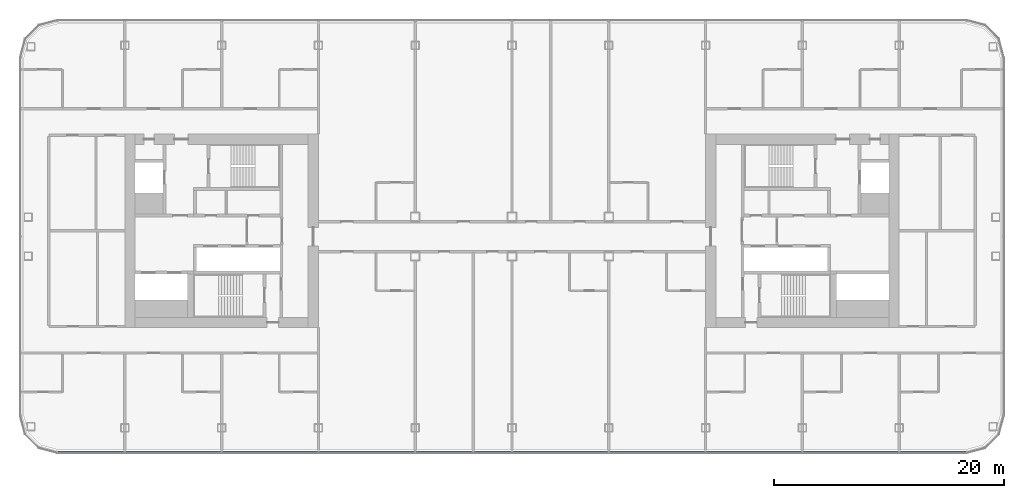
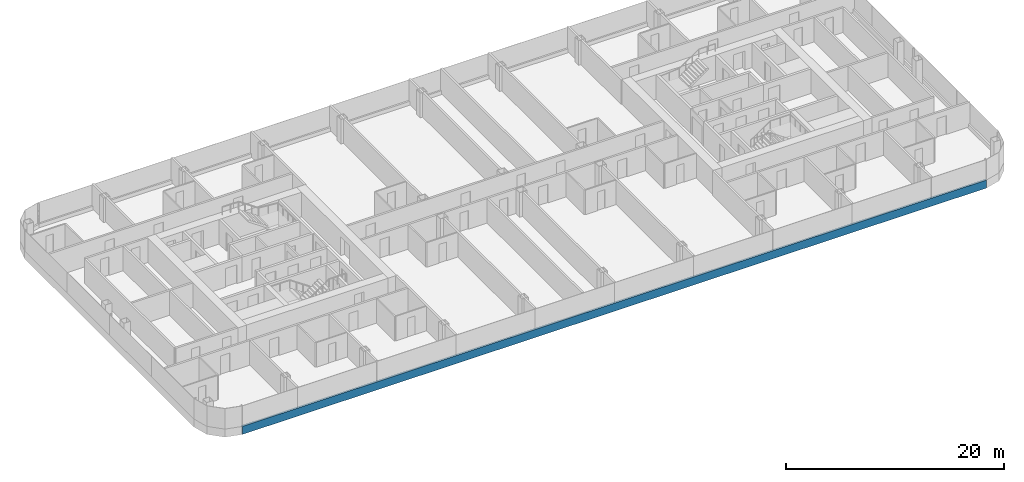
# One storey, part 4 of 26: 1 member, 1 element without a shape of its own.
"""IFC4 building model written with IfcOpenShell, lengths in metres."""

from ifc_helpers import new_model, si_unit, direction, frame, origin, origin_2d, place, context, subcontext, project, spatial, rectangle, extrude, material, layer, layer_set, material_profile, profile_set, type_object, element, aggregate, save


model = new_model("IFC4")

# Units and contexts
model_context = context("Model", 3, precision=1e-05, world=origin(), true_north=direction((0.0, 1.0)))
body_context = subcontext(model_context, "Body", "Model", "MODEL_VIEW")
ifc_project = project(units=[si_unit("LENGTHUNIT", "METRE"), si_unit("AREAUNIT", "SQUARE_METRE"), si_unit("VOLUMEUNIT", "CUBIC_METRE"), si_unit("PLANEANGLEUNIT", "RADIAN"), si_unit("MASSUNIT", "GRAM", prefix="KILO")], contexts=[model_context])

# Site, building, storey
site_placement = place(None, origin())
site = spatial("IfcSite", under=ifc_project, at=site_placement, CompositionType="ELEMENT")
building_placement = place(site_placement, origin())
building = spatial("IfcBuilding", under=site, at=building_placement, Name="Hakoniwa Tower and Hamabe Station Hall", CompositionType="ELEMENT")
storey_placement = place(building_placement, frame((0.0, 0.0, 131.0)))
storey = spatial("IfcBuildingStorey", under=building, at=storey_placement, Name="L36", CompositionType="ELEMENT", Elevation=131.0)

# Curtain wall, member
ifc_material_1 = material(Name="Dark low-e laminated glass", Category="glass")
ifc_layer = layer(ifc_material_1, 0.199951171875)
ifc_layer_set = layer_set([ifc_layer], Name="CW-1 UNITISED GUEST")
curtain_wall_type = type_object("IfcCurtainWallType", Name="CW-1 UNITISED GUEST", PredefinedType="NOTDEFINED", material=ifc_layer_set)
curtain_wall_placement = place(storey_placement, origin())
curtain_wall = element("IfcCurtainWall", 1, at=curtain_wall_placement, inside=storey, type_object=curtain_wall_type, Name="CW-1 curtain wall", PredefinedType="NOTDEFINED")
ifc_material_2 = material(Name="Aluminium 6063-T5 black anodised", Category="aluminium")
ifc_material_profile = material_profile(ifc_material_2, rectangle(XDim=0.199951171875, YDim=0.89990234375, at=origin_2d()), Name="CW SLAB-EDGE BAND 900X200")
ifc_profile_set = profile_set([ifc_material_profile], Name="Aluminium 6063-T5 black anodised")
member_type = type_object("IfcMemberType", Name="CW SLAB-EDGE BAND 900X200", PredefinedType="USERDEFINED", material=ifc_profile_set)
member_placement = place(storey_placement, frame((-39.439453125, -19.199951171875, -0.10009765625), z_axis=(1.0, 0.0, 0.0), x_axis=(0.0, 1.0, 0.0)))
member = element("IfcMember", 2, at=member_placement, type_object=member_type, Name="CW-1 transom", ObjectType="TRANSOM", PredefinedType="USERDEFINED", context=body_context, shape_type="SweptSolid", body=[
    extrude(rectangle(XDim=0.199951171875, YDim=0.89990234375, at=origin_2d()), origin(), (0.0, 0.0, 1.0), 78.87890625),
])
aggregate(curtain_wall, [member])

save(model, "model.ifc")
